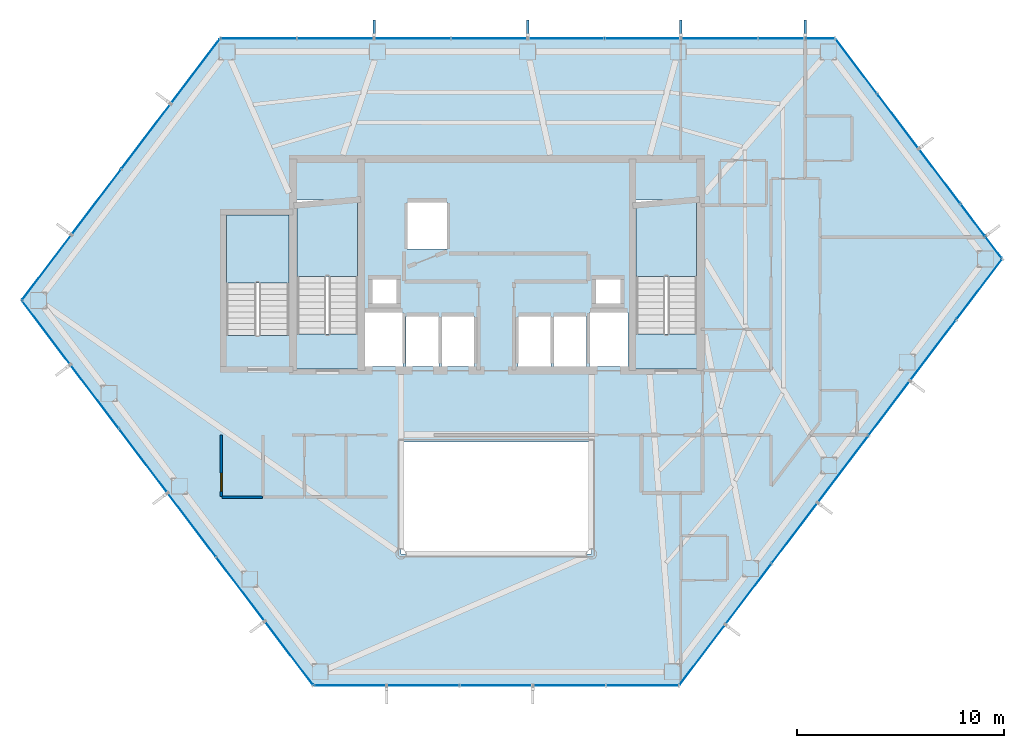
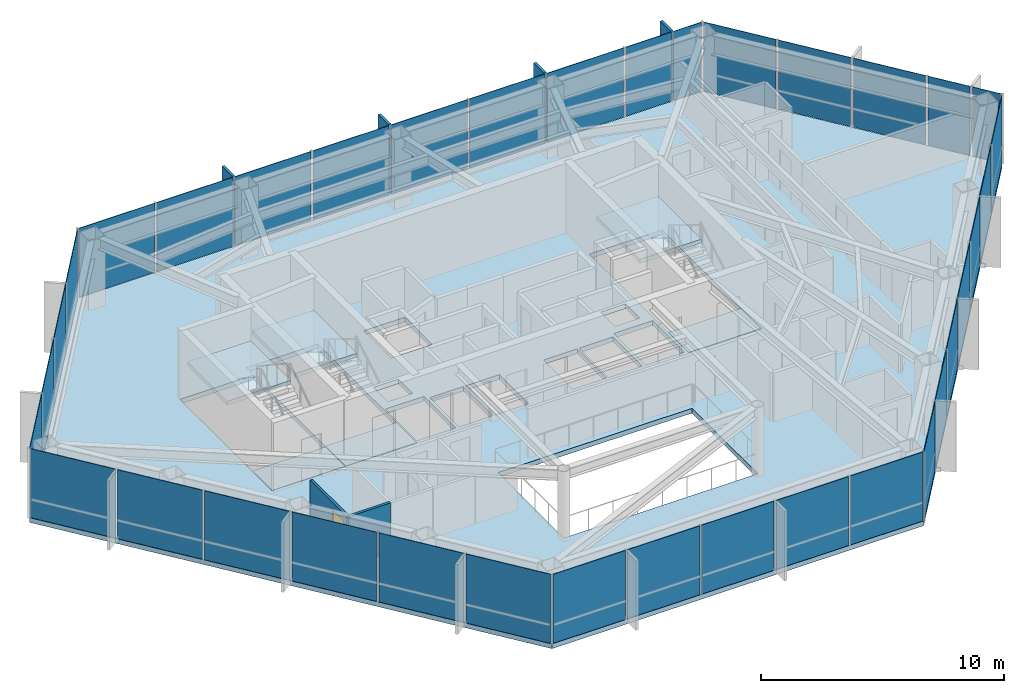
# One storey, part 24 of 28: 36 plates, 7 slabs, 4 members, 2 walls, 1 door, 1 opening, 9 elements without a shape of their own.
"""IFC4 building model written with IfcOpenShell, lengths in metres."""

from ifc_helpers import new_model, si_unit, direction, frame, frame_2d, origin, origin_2d, place, context, subcontext, project, spatial, polyline, rectangle, outline, extrude, material, layer, layer_set, material_profile, profile_set, type_object, element, fill, aggregate, save


model = new_model("IFC4")

# Units and contexts
model_context = context("Model", 3, precision=1e-05, world=origin(), true_north=direction((0.0, 1.0)))
body_context = subcontext(model_context, "Body", "Model", "MODEL_VIEW")
ifc_project = project(units=[si_unit("LENGTHUNIT", "METRE"), si_unit("AREAUNIT", "SQUARE_METRE"), si_unit("VOLUMEUNIT", "CUBIC_METRE"), si_unit("PLANEANGLEUNIT", "RADIAN"), si_unit("MASSUNIT", "GRAM", prefix="KILO")], contexts=[model_context])

# Site, building, storey
site_placement = place(None, origin())
site = spatial("IfcSite", under=ifc_project, at=site_placement, CompositionType="ELEMENT")
building_placement = place(site_placement, origin())
building = spatial("IfcBuilding", under=site, at=building_placement, Name="Zarrinselat Tower", CompositionType="ELEMENT")
storey_placement = place(building_placement, frame((0.0, 0.0, 123.419921875)))
storey = spatial("IfcBuildingStorey", under=building, at=storey_placement, Name="L29", CompositionType="ELEMENT", Elevation=123.419921875)

# Curtain wall, members, plates
ifc_material_1 = material(Name="Extruded Aluminium Alloy EN AW-6063 T6", Category="aluminium")
ifc_layer_1 = layer(ifc_material_1, 0.175048828125)
ifc_layer_set_1 = layer_set([ifc_layer_1], Name="Extruded Aluminium Alloy EN AW-6063 T6")
curtain_wall_type = type_object("IfcCurtainWallType", Name="CWS-HTL", PredefinedType="NOTDEFINED", material=ifc_layer_set_1)
curtain_wall_1_placement = place(storey_placement, origin())
curtain_wall_1 = element("IfcCurtainWall", 1, at=curtain_wall_1_placement, inside=storey, type_object=curtain_wall_type, Name="L29 Unitised Curtain Wall CW-L29-E01", PredefinedType="NOTDEFINED")
ifc_material_2 = material(Name="Honed Cream Travertine Stone", Category="masonry")
ifc_material_profile = material_profile(ifc_material_2, rectangle(XDim=0.1201171875, YDim=0.85009765625, at=origin_2d()), Name="FIN 850x120")
ifc_profile_set = profile_set([ifc_material_profile], Name="Honed Cream Travertine Stone")
member_type = type_object("IfcMemberType", Name="MEM-STONE-FIN", PredefinedType="USERDEFINED", material=ifc_profile_set)
member_1_placement = place(storey_placement, frame((53.300048828125, 49.726806640625, 0.0), z_axis=(0.0, 0.0, 1.0), x_axis=(1.0, 0.0, 0.0)))
member_1 = element("IfcMember", 2, at=member_1_placement, type_object=member_type, Name="L29 Stone Shading Fin CW-L29-E01-01", ObjectType="FIN", PredefinedType="USERDEFINED", context=body_context, shape_type="SweptSolid", body=[
    extrude(rectangle(XDim=0.1201171875, YDim=0.85009765625, at=origin_2d()), origin(), (0.0, 0.0, 1.0), 3.5),
])
member_2_placement = place(storey_placement, frame((47.300048828125, 49.726806640625, 0.0), z_axis=(0.0, 0.0, 1.0), x_axis=(1.0, 0.0, 0.0)))
member_2 = element("IfcMember", 3, at=member_2_placement, type_object=member_type, Name="L29 Stone Shading Fin CW-L29-E01-03", ObjectType="FIN", PredefinedType="USERDEFINED", context=body_context, shape_type="SweptSolid", body=[
    extrude(rectangle(XDim=0.1201171875, YDim=0.85009765625, at=origin_2d()), origin(), (0.0, 0.0, 1.0), 3.5),
])
member_3_placement = place(storey_placement, frame((39.91552734375, 49.726806640625, 0.0), z_axis=(0.0, 0.0, 1.0), x_axis=(1.0, 0.0, 0.0)))
member_3 = element("IfcMember", 4, at=member_3_placement, type_object=member_type, Name="L29 Stone Shading Fin CW-L29-E01-05", ObjectType="FIN", PredefinedType="USERDEFINED", context=body_context, shape_type="SweptSolid", body=[
    extrude(rectangle(XDim=0.1201171875, YDim=0.85009765625, at=origin_2d()), origin(), (0.0, 0.0, 1.0), 3.5),
])
member_4_placement = place(storey_placement, frame((32.504638671875, 49.726806640625, 0.0), z_axis=(0.0, 0.0, 1.0), x_axis=(1.0, 0.0, 0.0)))
member_4 = element("IfcMember", 5, at=member_4_placement, type_object=member_type, Name="L29 Stone Shading Fin CW-L29-E01-07", ObjectType="FIN", PredefinedType="USERDEFINED", context=body_context, shape_type="SweptSolid", body=[
    extrude(rectangle(XDim=0.1201171875, YDim=0.85009765625, at=origin_2d()), origin(), (0.0, 0.0, 1.0), 3.5),
])
ifc_material_3 = material(Name="Double Low-E Laminated Solar Glass", Category="glass")
ifc_layer_2 = layer(ifc_material_3, 0.028076171875)
ifc_layer_set_2 = layer_set([ifc_layer_2], Name="Double Low-E Laminated Solar Glass")
plate_type = type_object("IfcPlateType", Name="PLT-CW-GL28", PredefinedType="CURTAIN_PANEL", material=ifc_layer_set_2)
plate_1_placement = place(storey_placement, frame((54.018798828125, 49.2666015625, 0.02001953125), z_axis=(0.0, 0.0, 1.0), x_axis=(-1.0, 0.0, 0.0)))
plate_1 = element("IfcPlate", 6, at=plate_1_placement, type_object=plate_type, Name="CW-L29-E01 Vision Glass Panel 1", PredefinedType="CURTAIN_PANEL", context=body_context, shape_type="SweptSolid", body=[
    extrude(rectangle(XDim=1.337646484375, YDim=0.028076171875, at=origin_2d()), origin(), (0.0, 0.0, 1.0), 3.4599609375),
])
plate_2_placement = place(storey_placement, frame((52.166015625, 49.2666015625, 0.02001953125), z_axis=(0.0, 0.0, 1.0), x_axis=(-1.0, 0.0, 0.0)))
plate_2 = element("IfcPlate", 7, at=plate_2_placement, type_object=plate_type, Name="CW-L29-E01 Vision Glass Panel 2", PredefinedType="CURTAIN_PANEL", context=body_context, shape_type="SweptSolid", body=[
    extrude(rectangle(XDim=2.16796875, YDim=0.028076171875, at=origin_2d()), origin(), (0.0, 0.0, 1.0), 3.4599609375),
])
plate_3_placement = place(storey_placement, frame((49.166015625, 49.2666015625, 0.02001953125), z_axis=(0.0, 0.0, 1.0), x_axis=(-1.0, 0.0, 0.0)))
plate_3 = element("IfcPlate", 8, at=plate_3_placement, type_object=plate_type, Name="CW-L29-E01 Vision Glass Panel 3", PredefinedType="CURTAIN_PANEL", context=body_context, shape_type="SweptSolid", body=[
    extrude(rectangle(XDim=3.632080078125, YDim=0.028076171875, at=origin_2d()), origin(), (0.0, 0.0, 1.0), 3.4599609375),
])
plate_4_placement = place(storey_placement, frame((45.46044921875, 49.2666015625, 0.02001953125), z_axis=(0.0, 0.0, 1.0), x_axis=(-1.0, 0.0, 0.0)))
plate_4 = element("IfcPlate", 9, at=plate_4_placement, type_object=plate_type, Name="CW-L29-E01 Vision Glass Panel 4", PredefinedType="CURTAIN_PANEL", context=body_context, shape_type="SweptSolid", body=[
    extrude(rectangle(XDim=3.578857421875, YDim=0.028076171875, at=origin_2d()), origin(), (0.0, 0.0, 1.0), 3.4599609375),
])
plate_5_placement = place(storey_placement, frame((41.768310546875, 49.2666015625, 0.02001953125), z_axis=(0.0, 0.0, 1.0), x_axis=(-1.0, 0.0, 0.0)))
plate_5 = element("IfcPlate", 10, at=plate_5_placement, type_object=plate_type, Name="CW-L29-E01 Vision Glass Panel 5", PredefinedType="CURTAIN_PANEL", context=body_context, shape_type="SweptSolid", body=[
    extrude(rectangle(XDim=3.60546875, YDim=0.028076171875, at=origin_2d()), origin(), (0.0, 0.0, 1.0), 3.4599609375),
])
plate_6_placement = place(storey_placement, frame((38.062744140625, 49.2666015625, 0.02001953125), z_axis=(0.0, 0.0, 1.0), x_axis=(-1.0, 0.0, 0.0)))
plate_6 = element("IfcPlate", 11, at=plate_6_placement, type_object=plate_type, Name="CW-L29-E01 Vision Glass Panel 6", PredefinedType="CURTAIN_PANEL", context=body_context, shape_type="SweptSolid", body=[
    extrude(rectangle(XDim=3.60546875, YDim=0.028076171875, at=origin_2d()), origin(), (0.0, 0.0, 1.0), 3.4599609375),
])
plate_7_placement = place(storey_placement, frame((34.357421875, 49.2666015625, 0.02001953125), z_axis=(0.0, 0.0, 1.0), x_axis=(-1.0, 0.0, 0.0)))
plate_7 = element("IfcPlate", 12, at=plate_7_placement, type_object=plate_type, Name="CW-L29-E01 Vision Glass Panel 7", PredefinedType="CURTAIN_PANEL", context=body_context, shape_type="SweptSolid", body=[
    extrude(rectangle(XDim=3.60546875, YDim=0.028076171875, at=origin_2d()), origin(), (0.0, 0.0, 1.0), 3.4599609375),
])
plate_8_placement = place(storey_placement, frame((30.65185546875, 49.2666015625, 0.02001953125), z_axis=(0.0, 0.0, 1.0), x_axis=(-1.0, 0.0, 0.0)))
plate_8 = element("IfcPlate", 13, at=plate_8_placement, type_object=plate_type, Name="CW-L29-E01 Vision Glass Panel 8", PredefinedType="CURTAIN_PANEL", context=body_context, shape_type="SweptSolid", body=[
    extrude(rectangle(XDim=3.60546875, YDim=0.028076171875, at=origin_2d()), origin(), (0.0, 0.0, 1.0), 3.4599609375),
])
plate_9_placement = place(storey_placement, frame((26.9462890625, 49.2666015625, 0.02001953125), z_axis=(0.0, 0.0, 1.0), x_axis=(-1.0, 0.0, 0.0)))
plate_9 = element("IfcPlate", 14, at=plate_9_placement, type_object=plate_type, Name="CW-L29-E01 Vision Glass Panel 9", PredefinedType="CURTAIN_PANEL", context=body_context, shape_type="SweptSolid", body=[
    extrude(rectangle(XDim=3.60546875, YDim=0.028076171875, at=origin_2d()), origin(), (0.0, 0.0, 1.0), 3.4599609375),
])
aggregate(curtain_wall_1, [member_1, member_2, member_3, member_4, plate_1, plate_2, plate_3, plate_4, plate_5, plate_6, plate_7, plate_8, plate_9])

# Curtain wall, plates
curtain_wall_2_placement = place(storey_placement, origin())
curtain_wall_2 = element("IfcCurtainWall", 15, at=curtain_wall_2_placement, inside=storey, type_object=curtain_wall_type, Name="L29 Unitised Curtain Wall CW-L29-E02", PredefinedType="NOTDEFINED")
plate_10_placement = place(storey_placement, frame((23.896728515625, 47.68701171875, 0.02001953125), z_axis=(0.0, 0.0, 1.0), x_axis=(-0.603858052292, -0.797091872172, 0.0)))
plate_10 = element("IfcPlate", 16, at=plate_10_placement, type_object=plate_type, Name="CW-L29-E02 Vision Glass Panel 1", PredefinedType="CURTAIN_PANEL", context=body_context, shape_type="SweptSolid", body=[
    extrude(rectangle(XDim=3.86376953125, YDim=0.028076171875, at=origin_2d()), origin(), (0.0, 0.0, 1.0), 3.4599609375),
])
plate_11_placement = place(storey_placement, frame((21.50341796875, 44.527587890625, 0.02001953125), z_axis=(0.0, 0.0, 1.0), x_axis=(-0.603858052292, -0.797091872172, 0.0)))
plate_11 = element("IfcPlate", 17, at=plate_11_placement, type_object=plate_type, Name="CW-L29-E02 Vision Glass Panel 2", PredefinedType="CURTAIN_PANEL", context=body_context, shape_type="SweptSolid", body=[
    extrude(rectangle(XDim=3.86376953125, YDim=0.028076171875, at=origin_2d()), origin(), (0.0, 0.0, 1.0), 3.4599609375),
])
plate_12_placement = place(storey_placement, frame((19.10986328125, 41.3681640625, 0.02001953125), z_axis=(0.0, 0.0, 1.0), x_axis=(-0.603858052292, -0.797091872172, 0.0)))
plate_12 = element("IfcPlate", 18, at=plate_12_placement, type_object=plate_type, Name="CW-L29-E02 Vision Glass Panel 3", PredefinedType="CURTAIN_PANEL", context=body_context, shape_type="SweptSolid", body=[
    extrude(rectangle(XDim=3.86376953125, YDim=0.028076171875, at=origin_2d()), origin(), (0.0, 0.0, 1.0), 3.4599609375),
])
plate_13_placement = place(storey_placement, frame((16.71630859375, 38.20849609375, 0.02001953125), z_axis=(0.0, 0.0, 1.0), x_axis=(-0.603858052292, -0.797091872172, 0.0)))
plate_13 = element("IfcPlate", 19, at=plate_13_placement, type_object=plate_type, Name="CW-L29-E02 Vision Glass Panel 4", PredefinedType="CURTAIN_PANEL", context=body_context, shape_type="SweptSolid", body=[
    extrude(rectangle(XDim=3.86376953125, YDim=0.028076171875, at=origin_2d()), origin(), (0.0, 0.0, 1.0), 3.4599609375),
])
aggregate(curtain_wall_2, [plate_10, plate_11, plate_12, plate_13])

curtain_wall_3_placement = place(storey_placement, origin())
curtain_wall_3 = element("IfcCurtainWall", 20, at=curtain_wall_3_placement, inside=storey, type_object=curtain_wall_type, Name="L29 Unitised Curtain Wall CW-L29-E03", PredefinedType="NOTDEFINED")
plate_14_placement = place(storey_placement, frame((16.69140625, 35.08203125, 0.02001953125), z_axis=(0.0, 0.0, 1.0), x_axis=(0.603858349394, -0.797091647094, 0.0)))
plate_14 = element("IfcPlate", 21, at=plate_14_placement, type_object=plate_type, Name="CW-L29-E03 Vision Glass Panel 1", PredefinedType="CURTAIN_PANEL", context=body_context, shape_type="SweptSolid", body=[
    extrude(rectangle(XDim=3.78125, YDim=0.028076171875, at=origin_2d()), origin(), (0.0, 0.0, 1.0), 3.4599609375),
])
plate_15_placement = place(storey_placement, frame((19.03515625, 31.98828125, 0.02001953125), z_axis=(0.0, 0.0, 1.0), x_axis=(0.603858349394, -0.797091647094, 0.0)))
plate_15 = element("IfcPlate", 22, at=plate_15_placement, type_object=plate_type, Name="CW-L29-E03 Vision Glass Panel 2", PredefinedType="CURTAIN_PANEL", context=body_context, shape_type="SweptSolid", body=[
    extrude(rectangle(XDim=3.78125, YDim=0.028076171875, at=origin_2d()), origin(), (0.0, 0.0, 1.0), 3.4599609375),
])
plate_16_placement = place(storey_placement, frame((21.37890625, 28.89453125, 0.02001953125), z_axis=(0.0, 0.0, 1.0), x_axis=(0.603858349394, -0.797091647094, 0.0)))
plate_16 = element("IfcPlate", 23, at=plate_16_placement, type_object=plate_type, Name="CW-L29-E03 Vision Glass Panel 3", PredefinedType="CURTAIN_PANEL", context=body_context, shape_type="SweptSolid", body=[
    extrude(rectangle(XDim=3.78125, YDim=0.028076171875, at=origin_2d()), origin(), (0.0, 0.0, 1.0), 3.4599609375),
])
plate_17_placement = place(storey_placement, frame((23.72265625, 25.80078125, 0.02001953125), z_axis=(0.0, 0.0, 1.0), x_axis=(0.603858349394, -0.797091647094, 0.0)))
plate_17 = element("IfcPlate", 24, at=plate_17_placement, type_object=plate_type, Name="CW-L29-E03 Vision Glass Panel 4", PredefinedType="CURTAIN_PANEL", context=body_context, shape_type="SweptSolid", body=[
    extrude(rectangle(XDim=3.78125, YDim=0.028076171875, at=origin_2d()), origin(), (0.0, 0.0, 1.0), 3.4599609375),
])
plate_18_placement = place(storey_placement, frame((26.06640625, 22.706787109375, 0.02001953125), z_axis=(0.0, 0.0, 1.0), x_axis=(0.603858349394, -0.797091647094, 0.0)))
plate_18 = element("IfcPlate", 25, at=plate_18_placement, type_object=plate_type, Name="CW-L29-E03 Vision Glass Panel 5", PredefinedType="CURTAIN_PANEL", context=body_context, shape_type="SweptSolid", body=[
    extrude(rectangle(XDim=3.78125, YDim=0.028076171875, at=origin_2d()), origin(), (0.0, 0.0, 1.0), 3.4599609375),
])
plate_19_placement = place(storey_placement, frame((28.41015625, 19.61328125, 0.02001953125), z_axis=(0.0, 0.0, 1.0), x_axis=(0.603858349394, -0.797091647094, 0.0)))
plate_19 = element("IfcPlate", 26, at=plate_19_placement, type_object=plate_type, Name="CW-L29-E03 Vision Glass Panel 6", PredefinedType="CURTAIN_PANEL", context=body_context, shape_type="SweptSolid", body=[
    extrude(rectangle(XDim=3.78125, YDim=0.028076171875, at=origin_2d()), origin(), (0.0, 0.0, 1.0), 3.4599609375),
])
aggregate(curtain_wall_3, [plate_14, plate_15, plate_16, plate_17, plate_18, plate_19])

curtain_wall_4_placement = place(storey_placement, origin())
curtain_wall_4 = element("IfcCurtainWall", 27, at=curtain_wall_4_placement, inside=storey, type_object=curtain_wall_type, Name="L29 Unitised Curtain Wall CW-L29-E04", PredefinedType="NOTDEFINED")
plate_20_placement = place(storey_placement, frame((31.345703125, 18.06640625, 0.02001953125), z_axis=(0.0, 0.0, 1.0), x_axis=(1.0, 0.0, 0.0)))
plate_20 = element("IfcPlate", 28, at=plate_20_placement, type_object=plate_type, Name="CW-L29-E04 Vision Glass Panel 1", PredefinedType="CURTAIN_PANEL", context=body_context, shape_type="SweptSolid", body=[
    extrude(rectangle(XDim=3.42724609375, YDim=0.028076171875, at=origin_2d()), origin(), (0.0, 0.0, 1.0), 3.4599609375),
])
plate_21_placement = place(storey_placement, frame((34.872802734375, 18.06640625, 0.02001953125), z_axis=(0.0, 0.0, 1.0), x_axis=(1.0, 0.0, 0.0)))
plate_21 = element("IfcPlate", 29, at=plate_21_placement, type_object=plate_type, Name="CW-L29-E04 Vision Glass Panel 2", PredefinedType="CURTAIN_PANEL", context=body_context, shape_type="SweptSolid", body=[
    extrude(rectangle(XDim=3.42724609375, YDim=0.028076171875, at=origin_2d()), origin(), (0.0, 0.0, 1.0), 3.4599609375),
])
plate_22_placement = place(storey_placement, frame((38.39990234375, 18.06640625, 0.02001953125), z_axis=(0.0, 0.0, 1.0), x_axis=(1.0, 0.0, 0.0)))
plate_22 = element("IfcPlate", 30, at=plate_22_placement, type_object=plate_type, Name="CW-L29-E04 Vision Glass Panel 3", PredefinedType="CURTAIN_PANEL", context=body_context, shape_type="SweptSolid", body=[
    extrude(rectangle(XDim=3.42724609375, YDim=0.028076171875, at=origin_2d()), origin(), (0.0, 0.0, 1.0), 3.4599609375),
])
plate_23_placement = place(storey_placement, frame((41.92724609375, 18.06640625, 0.02001953125), z_axis=(0.0, 0.0, 1.0), x_axis=(1.0, 0.0, 0.0)))
plate_23 = element("IfcPlate", 31, at=plate_23_placement, type_object=plate_type, Name="CW-L29-E04 Vision Glass Panel 4", PredefinedType="CURTAIN_PANEL", context=body_context, shape_type="SweptSolid", body=[
    extrude(rectangle(XDim=3.42724609375, YDim=0.028076171875, at=origin_2d()), origin(), (0.0, 0.0, 1.0), 3.4599609375),
])
plate_24_placement = place(storey_placement, frame((45.454345703125, 18.06640625, 0.02001953125), z_axis=(0.0, 0.0, 1.0), x_axis=(1.0, 0.0, 0.0)))
plate_24 = element("IfcPlate", 32, at=plate_24_placement, type_object=plate_type, Name="CW-L29-E04 Vision Glass Panel 5", PredefinedType="CURTAIN_PANEL", context=body_context, shape_type="SweptSolid", body=[
    extrude(rectangle(XDim=3.42724609375, YDim=0.028076171875, at=origin_2d()), origin(), (0.0, 0.0, 1.0), 3.4599609375),
])
aggregate(curtain_wall_4, [plate_20, plate_21, plate_22, plate_23, plate_24])

curtain_wall_5_placement = place(storey_placement, origin())
curtain_wall_5 = element("IfcCurtainWall", 33, at=curtain_wall_5_placement, inside=storey, type_object=curtain_wall_type, Name="L29 Unitised Curtain Wall CW-L29-E05", PredefinedType="NOTDEFINED")
plate_25_placement = place(storey_placement, frame((48.33056640625, 19.53515625, 0.02001953125), z_axis=(0.0, 0.0, 1.0), x_axis=(0.603858135777, 0.797091808926, 0.0)))
plate_25 = element("IfcPlate", 34, at=plate_25_placement, type_object=plate_type, Name="CW-L29-E05 Vision Glass Panel 1", PredefinedType="CURTAIN_PANEL", context=body_context, shape_type="SweptSolid", body=[
    extrude(rectangle(XDim=3.58544921875, YDim=0.028076171875, at=origin_2d()), origin(), (0.0, 0.0, 1.0), 3.4599609375),
])
plate_26_placement = place(storey_placement, frame((50.55615234375, 22.47265625, 0.02001953125), z_axis=(0.0, 0.0, 1.0), x_axis=(0.603858135777, 0.797091808926, 0.0)))
plate_26 = element("IfcPlate", 35, at=plate_26_placement, type_object=plate_type, Name="CW-L29-E05 Vision Glass Panel 2", PredefinedType="CURTAIN_PANEL", context=body_context, shape_type="SweptSolid", body=[
    extrude(rectangle(XDim=3.58544921875, YDim=0.028076171875, at=origin_2d()), origin(), (0.0, 0.0, 1.0), 3.4599609375),
])
plate_27_placement = place(storey_placement, frame((52.781494140625, 25.410400390625, 0.02001953125), z_axis=(0.0, 0.0, 1.0), x_axis=(0.603858135777, 0.797091808926, 0.0)))
plate_27 = element("IfcPlate", 36, at=plate_27_placement, type_object=plate_type, Name="CW-L29-E05 Vision Glass Panel 3", PredefinedType="CURTAIN_PANEL", context=body_context, shape_type="SweptSolid", body=[
    extrude(rectangle(XDim=3.58544921875, YDim=0.028076171875, at=origin_2d()), origin(), (0.0, 0.0, 1.0), 3.4599609375),
])
plate_28_placement = place(storey_placement, frame((55.119384765625, 28.496337890625, 0.02001953125), z_axis=(0.0, 0.0, 1.0), x_axis=(0.603858135777, 0.797091808926, 0.0)))
plate_28 = element("IfcPlate", 37, at=plate_28_placement, type_object=plate_type, Name="CW-L29-E05 Vision Glass Panel 4", PredefinedType="CURTAIN_PANEL", context=body_context, shape_type="SweptSolid", body=[
    extrude(rectangle(XDim=3.9580078125, YDim=0.028076171875, at=origin_2d()), origin(), (0.0, 0.0, 1.0), 3.4599609375),
])
plate_29_placement = place(storey_placement, frame((57.344970703125, 31.43408203125, 0.02001953125), z_axis=(0.0, 0.0, 1.0), x_axis=(0.603858135777, 0.797091808926, 0.0)))
plate_29 = element("IfcPlate", 38, at=plate_29_placement, type_object=plate_type, Name="CW-L29-E05 Vision Glass Panel 5", PredefinedType="CURTAIN_PANEL", context=body_context, shape_type="SweptSolid", body=[
    extrude(rectangle(XDim=3.212646484375, YDim=0.028076171875, at=origin_2d()), origin(), (0.0, 0.0, 1.0), 3.4599609375),
])
plate_30_placement = place(storey_placement, frame((59.4580078125, 34.22314453125, 0.02001953125), z_axis=(0.0, 0.0, 1.0), x_axis=(0.603858135777, 0.797091808926, 0.0)))
plate_30 = element("IfcPlate", 39, at=plate_30_placement, type_object=plate_type, Name="CW-L29-E05 Vision Glass Panel 6", PredefinedType="CURTAIN_PANEL", context=body_context, shape_type="SweptSolid", body=[
    extrude(rectangle(XDim=3.58544921875, YDim=0.028076171875, at=origin_2d()), origin(), (0.0, 0.0, 1.0), 3.4599609375),
])
plate_31_placement = place(storey_placement, frame((61.683349609375, 37.16064453125, 0.02001953125), z_axis=(0.0, 0.0, 1.0), x_axis=(0.603858135777, 0.797091808926, 0.0)))
plate_31 = element("IfcPlate", 40, at=plate_31_placement, type_object=plate_type, Name="CW-L29-E05 Vision Glass Panel 7", PredefinedType="CURTAIN_PANEL", context=body_context, shape_type="SweptSolid", body=[
    extrude(rectangle(XDim=3.58544921875, YDim=0.028076171875, at=origin_2d()), origin(), (0.0, 0.0, 1.0), 3.4599609375),
])
aggregate(curtain_wall_5, [plate_25, plate_26, plate_27, plate_28, plate_29, plate_30, plate_31])

curtain_wall_6_placement = place(storey_placement, origin())
curtain_wall_6 = element("IfcCurtainWall", 41, at=curtain_wall_6_placement, inside=storey, type_object=curtain_wall_type, Name="L29 Unitised Curtain Wall CW-L29-E06", PredefinedType="NOTDEFINED")
plate_32_placement = place(storey_placement, frame((62.385009765625, 39.172119140625, 0.02001953125), z_axis=(0.0, 0.0, 1.0), x_axis=(-0.603858409354, 0.79709160167, 0.0)))
plate_32 = element("IfcPlate", 42, at=plate_32_placement, type_object=plate_type, Name="CW-L29-E06 Vision Glass Panel 1", PredefinedType="CURTAIN_PANEL", context=body_context, shape_type="SweptSolid", body=[
    extrude(rectangle(XDim=1.26123046875, YDim=0.028076171875, at=origin_2d()), origin(), (0.0, 0.0, 1.0), 3.4599609375),
])
plate_33_placement = place(storey_placement, frame((61.377685546875, 40.501708984375, 0.02001953125), z_axis=(0.0, 0.0, 1.0), x_axis=(-0.603858409354, 0.79709160167, 0.0)))
plate_33 = element("IfcPlate", 43, at=plate_33_placement, type_object=plate_type, Name="CW-L29-E06 Vision Glass Panel 2", PredefinedType="CURTAIN_PANEL", context=body_context, shape_type="SweptSolid", body=[
    extrude(rectangle(XDim=1.875, YDim=0.028076171875, at=origin_2d()), origin(), (0.0, 0.0, 1.0), 3.4599609375),
])
plate_34_placement = place(storey_placement, frame((59.774169921875, 42.618408203125, 0.02001953125), z_axis=(0.0, 0.0, 1.0), x_axis=(-0.603858409354, 0.79709160167, 0.0)))
plate_34 = element("IfcPlate", 44, at=plate_34_placement, type_object=plate_type, Name="CW-L29-E06 Vision Glass Panel 3", PredefinedType="CURTAIN_PANEL", context=body_context, shape_type="SweptSolid", body=[
    extrude(rectangle(XDim=3.236328125, YDim=0.028076171875, at=origin_2d()), origin(), (0.0, 0.0, 1.0), 3.4599609375),
])
plate_35_placement = place(storey_placement, frame((57.759521484375, 45.277587890625, 0.02001953125), z_axis=(0.0, 0.0, 1.0), x_axis=(-0.603858409354, 0.79709160167, 0.0)))
plate_35 = element("IfcPlate", 45, at=plate_35_placement, type_object=plate_type, Name="CW-L29-E06 Vision Glass Panel 4", PredefinedType="CURTAIN_PANEL", context=body_context, shape_type="SweptSolid", body=[
    extrude(rectangle(XDim=3.236328125, YDim=0.028076171875, at=origin_2d()), origin(), (0.0, 0.0, 1.0), 3.4599609375),
])
plate_36_placement = place(storey_placement, frame((55.744873046875, 47.93701171875, 0.02001953125), z_axis=(0.0, 0.0, 1.0), x_axis=(-0.603858409354, 0.79709160167, 0.0)))
plate_36 = element("IfcPlate", 46, at=plate_36_placement, type_object=plate_type, Name="CW-L29-E06 Vision Glass Panel 5", PredefinedType="CURTAIN_PANEL", context=body_context, shape_type="SweptSolid", body=[
    extrude(rectangle(XDim=3.236328125, YDim=0.028076171875, at=origin_2d()), origin(), (0.0, 0.0, 1.0), 3.4599609375),
])
aggregate(curtain_wall_6, [plate_32, plate_33, plate_34, plate_35, plate_36])

# Slabs
ifc_material_4 = material(Name="Concrete C40/50", Category="concrete")
ifc_layer_3 = layer(ifc_material_4, 0.239990234375)
ifc_layer_set_3 = layer_set([ifc_layer_3], Name="Concrete C40/50")
slab_type_1 = type_object("IfcSlabType", Name="SLB-FLOOR-240-SL-HT240", PredefinedType="FLOOR", material=ifc_layer_set_3)
slab_1_placement = place(storey_placement, frame((0.0, 0.0, -0.239990234375)))
element("IfcSlab", 47, at=slab_1_placement, inside=storey, type_object=slab_type_1, Name="L29 Primary Structural Slab", PredefinedType="FLOOR", context=body_context, shape_type="SweptSolid", body=[
    extrude(outline(polyline([(54.737548828125, 49.2666015625), (25.093505859375, 49.2666015625), (15.51953125, 36.62890625), (29.58203125, 18.06640625), (47.218017578125, 18.06640625), (62.796142578125, 38.62939453125), (54.737548828125, 49.2666015625)]), holes=[polyline([(35.64990234375, 33.449951171875), (34.050048828125, 33.449951171875), (34.050048828125, 35.85009765625), (35.64990234375, 35.85009765625), (35.64990234375, 33.449951171875)]), polyline([(35.75, 33.449951171875), (35.75, 35.85009765625), (37.35009765625, 35.85009765625), (37.35009765625, 33.449951171875), (35.75, 33.449951171875)]), polyline([(32.06005859375, 33.449951171875), (32.06005859375, 36.050048828125), (33.89990234375, 36.050048828125), (33.89990234375, 33.449951171875), (32.06005859375, 33.449951171875)]), polyline([(33.60009765625, 36.47998046875), (32.419921875, 36.47998046875), (32.419921875, 37.639892578125), (33.60009765625, 37.639892578125), (33.60009765625, 36.47998046875)]), polyline([(28.594970703125, 33.324951171875), (25.114990234375, 33.324951171875), (25.114990234375, 40.875), (28.594970703125, 40.875), (28.594970703125, 33.324951171875)]), polyline([(31.985107421875, 33.324951171875), (28.60498046875, 33.324951171875), (28.60498046875, 41.47509765625), (31.985107421875, 41.47509765625), (31.985107421875, 33.324951171875)]), polyline([(36.050048828125, 39.10009765625), (34.10009765625, 39.10009765625), (34.10009765625, 41.35009765625), (36.050048828125, 41.35009765625), (36.050048828125, 39.10009765625)]), polyline([(33.800048828125, 24.39990234375), (33.800048828125, 29.800048828125), (43.0, 29.800048828125), (43.0, 24.39990234375), (33.800048828125, 24.39990234375)]), polyline([(39.449951171875, 33.449951171875), (39.449951171875, 35.85009765625), (41.050048828125, 35.85009765625), (41.050048828125, 33.449951171875), (39.449951171875, 33.449951171875)]), polyline([(41.14990234375, 33.449951171875), (41.14990234375, 35.85009765625), (42.75, 35.85009765625), (42.75, 33.449951171875), (41.14990234375, 33.449951171875)]), polyline([(42.89990234375, 33.449951171875), (42.89990234375, 36.050048828125), (44.739990234375, 36.050048828125), (44.739990234375, 33.449951171875), (42.89990234375, 33.449951171875)]), polyline([(43.199951171875, 36.47998046875), (43.199951171875, 37.639892578125), (44.3798828125, 37.639892578125), (44.3798828125, 36.47998046875), (43.199951171875, 36.47998046875)]), polyline([(48.324951171875, 33.324951171875), (44.875, 33.324951171875), (44.875, 41.47509765625), (48.324951171875, 41.47509765625), (48.324951171875, 33.324951171875)])]), origin(), (0.0, 0.0, 1.0), 0.239990234375),
])
slab_2_placement = place(storey_placement, frame((0.0, 0.0, -0.239990234375)))
element("IfcSlab", 48, at=slab_2_placement, inside=storey, type_object=slab_type_1, Name="L29 Stair ST-1-FL1 Structural Floor Landing", PredefinedType="FLOOR", context=body_context, shape_type="SweptSolid", body=[
    extrude(outline(polyline([(31.97998046875, 33.330078125), (31.97998046875, 35.0), (28.610107421875, 35.0), (28.610107421875, 33.330078125), (31.97998046875, 33.330078125)])), origin(), (0.0, 0.0, 1.0), 0.239990234375),
])
slab_3_placement = place(storey_placement, frame((0.0, 0.0, -0.239990234375)))
element("IfcSlab", 49, at=slab_3_placement, inside=storey, type_object=slab_type_1, Name="L29 Stair ST-2-FL1 Structural Floor Landing", PredefinedType="FLOOR", context=body_context, shape_type="SweptSolid", body=[
    extrude(outline(polyline([(48.320068359375, 33.330078125), (48.320068359375, 35.0), (44.8798828125, 35.0), (44.8798828125, 33.330078125), (48.320068359375, 33.330078125)])), origin(), (0.0, 0.0, 1.0), 0.239990234375),
])
slab_4_placement = place(storey_placement, frame((0.0, 0.0, -0.239990234375)))
element("IfcSlab", 50, at=slab_4_placement, inside=storey, type_object=slab_type_1, Name="L29 Stair ST-3-FL1 Structural Floor Landing", PredefinedType="FLOOR", context=body_context, shape_type="SweptSolid", body=[
    extrude(outline(polyline([(28.590087890625, 33.330078125), (28.590087890625, 34.949951171875), (25.1201171875, 34.949951171875), (25.1201171875, 33.330078125), (28.590087890625, 33.330078125)])), origin(), (0.0, 0.0, 1.0), 0.239990234375),
])

# Stair, slab
ifc_material_5 = material(Name="Concrete C40/50", Category="concrete")
stair_type_1 = type_object("IfcStairType", Name="STR-CORE-145", PredefinedType="HALF_TURN_STAIR", material=ifc_material_5)
stair_1_placement = place(storey_placement, origin())
stair_1 = element("IfcStair", 51, at=stair_1_placement, inside=storey, type_object=stair_type_1, Name="L29 Podium & Mid-Tower Exit Stair 3", PredefinedType="HALF_TURN_STAIR")
ifc_material_6 = material(Name="Concrete C40/50", Category="concrete")
ifc_layer_4 = layer(ifc_material_6, 0.1650390625)
ifc_layer_set_4 = layer_set([ifc_layer_4], Name="Concrete C40/50")
slab_type_2 = type_object("IfcSlabType", Name="SLB-LND-165", PredefinedType="LANDING", material=ifc_layer_set_4)
slab_5_placement = place(storey_placement, frame((0.0, 0.0, 1.670166015625)))
slab_5 = element("IfcSlab", 52, at=slab_5_placement, type_object=slab_type_2, Name="ST-3 landing 1", PredefinedType="LANDING", context=body_context, shape_type="SweptSolid", body=[
    extrude(outline(polyline([(28.39990234375, 37.469970703125), (28.39990234375, 40.75), (25.3798828125, 40.75), (25.3798828125, 37.469970703125), (28.39990234375, 37.469970703125)])), origin(), (0.0, 0.0, 1.0), 0.199951171875),
])
aggregate(stair_1, [slab_5])

ifc_material_7 = material(Name="Concrete C40/50", Category="concrete")
stair_type_2 = type_object("IfcStairType", Name="STR-CORE-155", PredefinedType="HALF_TURN_STAIR", material=ifc_material_7)
stair_2_placement = place(storey_placement, origin())
stair_2 = element("IfcStair", 53, at=stair_2_placement, inside=storey, type_object=stair_type_2, Name="L29 Core Exit Stair 1", PredefinedType="HALF_TURN_STAIR")
ifc_material_8 = material(Name="Concrete C40/50", Category="concrete")
ifc_layer_5 = layer(ifc_material_8, 0.18994140625)
ifc_layer_set_5 = layer_set([ifc_layer_5], Name="Concrete C40/50")
slab_type_3 = type_object("IfcSlabType", Name="SLB-LND-190", PredefinedType="LANDING", material=ifc_layer_set_5)
slab_6_placement = place(storey_placement, frame((0.0, 0.0, 1.670166015625)))
slab_6 = element("IfcSlab", 54, at=slab_6_placement, type_object=slab_type_3, Name="ST-1 landing 1", PredefinedType="LANDING", context=body_context, shape_type="SweptSolid", body=[
    extrude(outline(polyline([(31.719970703125, 37.7900390625), (31.719970703125, 41.35009765625), (28.800048828125, 41.35009765625), (28.800048828125, 37.7900390625), (31.719970703125, 37.7900390625)])), origin(), (0.0, 0.0, 1.0), 0.199951171875),
])
aggregate(stair_2, [slab_6])

stair_3_placement = place(storey_placement, origin())
stair_3 = element("IfcStair", 55, at=stair_3_placement, inside=storey, type_object=stair_type_2, Name="L29 Core Exit Stair 2", PredefinedType="HALF_TURN_STAIR")
slab_7_placement = place(storey_placement, frame((0.0, 0.0, 1.670166015625)))
slab_7 = element("IfcSlab", 56, at=slab_7_placement, type_object=slab_type_3, Name="ST-2 landing 1", PredefinedType="LANDING", context=body_context, shape_type="SweptSolid", body=[
    extrude(outline(polyline([(48.06005859375, 37.7900390625), (48.06005859375, 41.35009765625), (45.139892578125, 41.35009765625), (45.139892578125, 37.7900390625), (48.06005859375, 37.7900390625)])), origin(), (0.0, 0.0, 1.0), 0.199951171875),
])
aggregate(stair_3, [slab_7])

# Wall
ifc_material_9 = material(Name="Fire-Rated Gypsum Board Partition", Category="gypsum")
ifc_layer_6 = layer(ifc_material_9, 0.1201171875)
ifc_layer_set_6 = layer_set([ifc_layer_6], Name="Fire-Rated Gypsum Board Partition")
wall_type = type_object("IfcWallType", Name="WAL-PART-STD", PredefinedType="PARTITIONING", material=ifc_layer_set_6)
wall_1_placement = place(storey_placement, frame((25.169921875, 27.14990234375, 0.0), z_axis=(0.0, 0.0, 1.0), x_axis=(1.0, 0.0, 0.0)))
element("IfcWall", 57, at=wall_1_placement, inside=storey, type_object=wall_type, Name="L29 Partition Wall 35", PredefinedType="PARTITIONING", context=body_context, shape_type="SweptSolid", body=[
    extrude(rectangle(XDim=1.9599609375, YDim=0.1201171875, at=frame_2d((0.97998046875, 0.0))), origin(), (0.0, 0.0, 1.0), 2.45703125),
])

# Wall, opening, door
wall_2_placement = place(storey_placement, frame((25.14990234375, 27.169921875, 0.0), z_axis=(0.0, 0.0, 1.0), x_axis=(0.0, 1.0, 0.0)))
wall_2 = element("IfcWall", 58, at=wall_2_placement, inside=storey, type_object=wall_type, Name="L29 Partition Wall 36", PredefinedType="PARTITIONING", context=body_context, shape_type="SweptSolid", body=[
    extrude(rectangle(XDim=2.97998046875, YDim=0.1201171875, at=frame_2d((1.489990234375, 0.0))), origin(), (0.0, 0.0, 1.0), 2.45703125),
])
opening_placement = place(wall_2_placement, frame((0.25, 0.0, 0.0)))
opening = element("IfcOpeningElement", 59, at=opening_placement, cuts=wall_2, Name="Opening ID-03", PredefinedType="OPENING", context=body_context, shape_type="SweptSolid", body=[
    extrude(rectangle(XDim=0.8798828125, YDim=2.050048828125, at=frame_2d((0.43994140625, 1.02490234375))), frame((0.0, 0.070068359375, 0.0), z_axis=(0.0, -1.0, 0.0), x_axis=(1.0, 0.0, 0.0)), (0.0, 0.0, 1.0), 0.14013671875),
])
ifc_material_10 = material(Name="Steel S355J2", Category="steel")
door_type = type_object("IfcDoorType", Name="DR-INT-FD60-S", OperationType="NOTDEFINED", PredefinedType="DOOR", material=ifc_material_10)
door_placement = place(opening_placement, origin())
door = element("IfcDoor", 60, at=door_placement, inside=storey, type_object=door_type, Name="L29 Interior Door P36", OperationType="SINGLE_SWING_RIGHT", OverallHeight=2.050048828125, OverallWidth=0.8798828125, PredefinedType="DOOR", context=body_context, shape_type="SweptSolid", body=[
    extrude(rectangle(XDim=0.8798828125, YDim=2.050048828125, at=frame_2d((0.43994140625, 1.02490234375))), frame((0.0, 0.02490234375, 0.0), z_axis=(0.0, -1.0, 0.0), x_axis=(1.0, 0.0, 0.0)), (0.0, 0.0, 1.0), 0.050048828125),
])
fill(opening, door)

save(model, "model.ifc")
